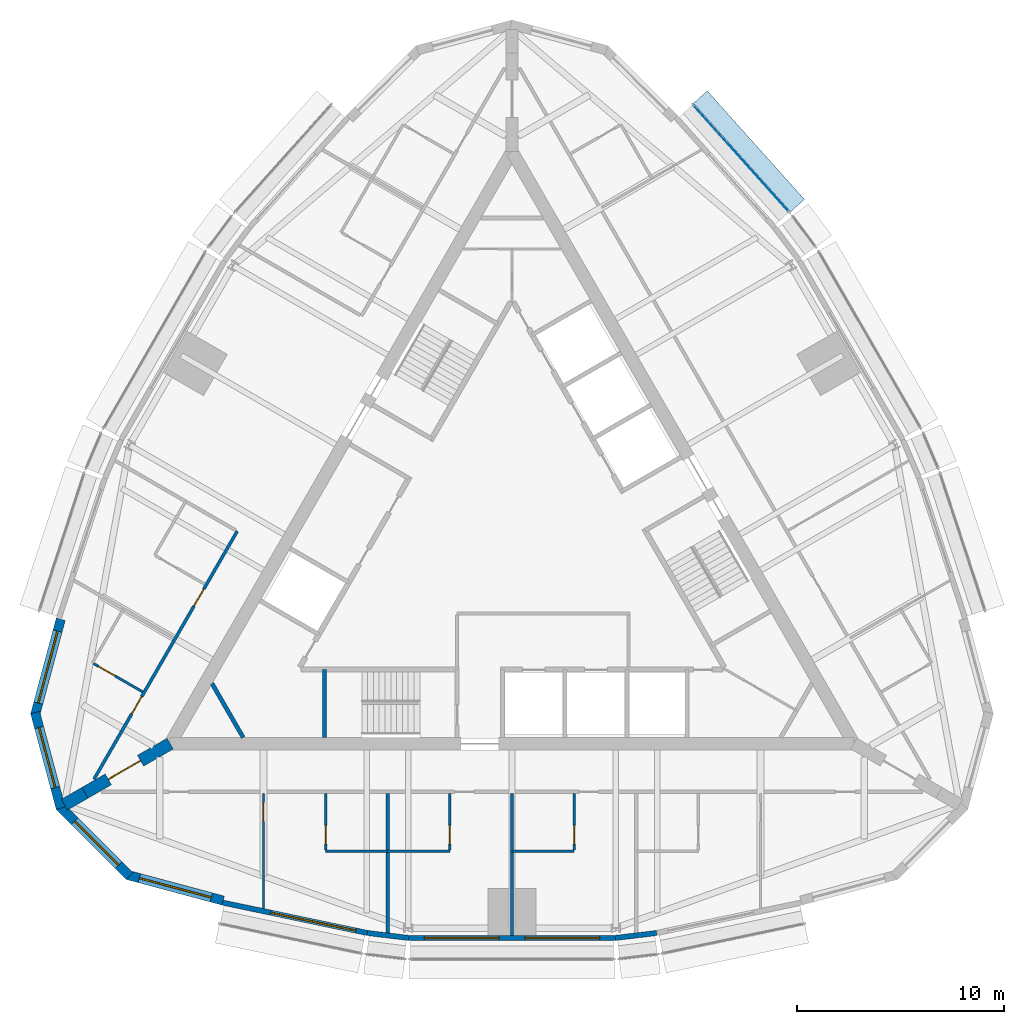
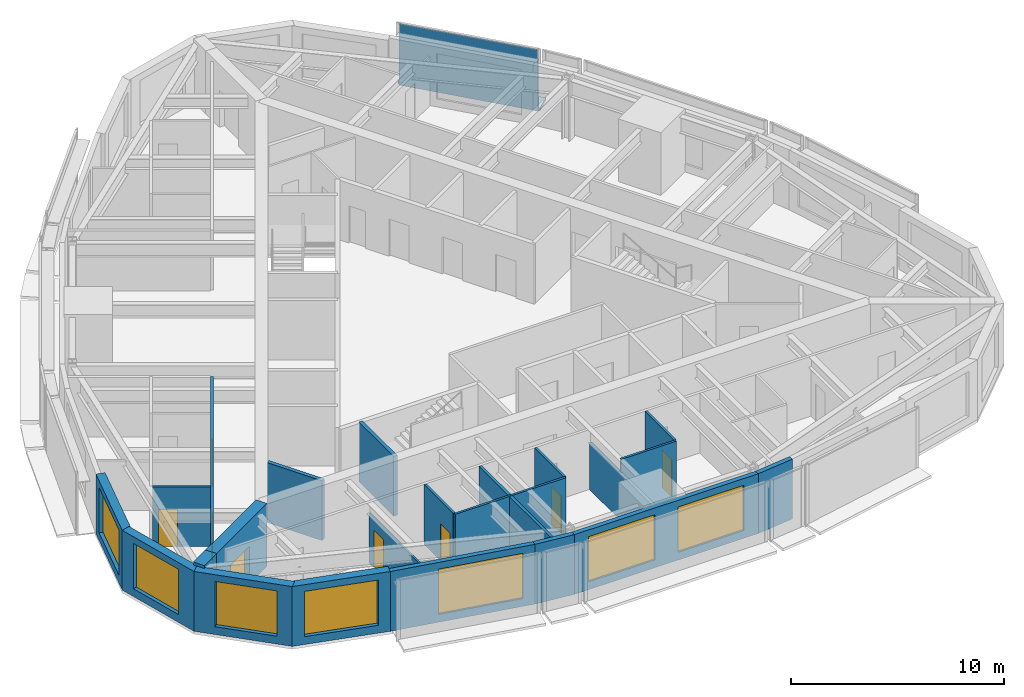
# One storey, part 7 of 12: 23 walls, 8 doors, 7 windows, 2 plates, 15 openings, 1 element without a shape of its own.
"""IFC4 building model written with IfcOpenShell, lengths in metres."""

from ifc_helpers import new_model, si_unit, direction, frame, frame_2d, origin, origin_2d, place, context, subcontext, project, spatial, polyline, rectangle, outline, extrude, material, layer, layer_set, type_object, element, fill, aggregate, save


model = new_model("IFC4")

# Units and contexts
model_context = context("Model", 3, precision=1e-05, world=origin(), true_north=direction((0.0, 1.0)))
body_context = subcontext(model_context, "Body", "Model", "MODEL_VIEW")
ifc_project = project(units=[si_unit("LENGTHUNIT", "METRE"), si_unit("AREAUNIT", "SQUARE_METRE"), si_unit("VOLUMEUNIT", "CUBIC_METRE"), si_unit("PLANEANGLEUNIT", "RADIAN"), si_unit("MASSUNIT", "GRAM", prefix="KILO")], contexts=[model_context])

# Site, building, storey
site_placement = place(None, origin())
site = spatial("IfcSite", under=ifc_project, at=site_placement, CompositionType="ELEMENT")
building_placement = place(site_placement, origin())
building = spatial("IfcBuilding", under=site, at=building_placement, Name="Trikona Tower", CompositionType="ELEMENT")
storey_placement = place(building_placement, frame((0.0, 0.0, 260.89990234375)))
storey = spatial("IfcBuildingStorey", under=building, at=storey_placement, Name="L69", CompositionType="ELEMENT", Elevation=260.89990234375)

# Curtain wall, plate
ifc_material_1 = material(Name="Aluminium curtain wall system", Category="aluminium")
curtain_wall_type = type_object("IfcCurtainWallType", Name="Curtain wall DS3", PredefinedType="NOTDEFINED", material=ifc_material_1)
curtain_wall_placement = place(storey_placement, origin())
curtain_wall = element("IfcCurtainWall", 1, at=curtain_wall_placement, inside=storey, type_object=curtain_wall_type, Name="Curtain wall DS3 L69", PredefinedType="NOTDEFINED")
ifc_material_2 = material(Name="Laminated clear glass", Category="glass")
ifc_layer_1 = layer(ifc_material_2, 0.028076171875)
ifc_layer_set_1 = layer_set([ifc_layer_1], Name="Glass panel DS3")
plate_type_1 = type_object("IfcPlateType", Name="Glass panel DS3", PredefinedType="CURTAIN_PANEL", material=ifc_layer_set_1)
plate_1_placement = place(storey_placement, frame((11.056884765625, 18.7216796875, 0.0), z_axis=(0.0, 0.0, 1.0), x_axis=(-0.667319643748, 0.744771436797, 0.0)))
plate_1 = element("IfcPlate", 2, at=plate_1_placement, type_object=plate_type_1, Name="CW-DS3 panel 1.1", PredefinedType="CURTAIN_PANEL", context=body_context, shape_type="SweptSolid", body=[
    extrude(rectangle(XDim=6.892822265625, YDim=0.028076171875, at=origin_2d()), origin(), (0.0, 0.0, 1.0), 3.530029296875),
])
aggregate(curtain_wall, [plate_1])

# Plate
ifc_material_3 = material(Name="Aluminium plate fin, pale anodised, on stainless steel outriggers", Category="steel")
ifc_layer_2 = layer(ifc_material_3, 0.14990234375)
ifc_layer_set_2 = layer_set([ifc_layer_2], Name="Outer skin fin 900")
plate_type_2 = type_object("IfcPlateType", Name="Outer skin fin 900", PredefinedType="USERDEFINED", material=ifc_layer_set_2)
plate_2_placement = place(storey_placement, frame((11.436767578125, 19.06201171875, 0.000244140625), z_axis=(0.0, 0.0, 1.0), x_axis=(-0.667311465398, 0.744778764566, 0.0)))
element("IfcPlate", 3, at=plate_2_placement, inside=storey, type_object=plate_type_2, Name="Outer skin fin L69-13", ObjectType="FIN", PredefinedType="USERDEFINED", context=body_context, shape_type="SweptSolid", body=[
    extrude(rectangle(XDim=7.03271484375, YDim=0.89990234375, at=origin_2d()), origin(), (0.0, 0.0, 1.0), 0.14990234375),
])

# Wall
ifc_material_4 = material(Name="Metal stud and cement board", Category="gypsum")
ifc_layer_3 = layer(ifc_material_4, 0.1201171875)
ifc_layer_set_3 = layer_set([ifc_layer_3], Name="Bathroom wall 120")
wall_type_1 = type_object("IfcWallType", Name="Bathroom wall 120", PredefinedType="PLUMBINGWALL", material=ifc_layer_set_3)
wall_1_placement = place(storey_placement, frame((-9.0, -14.726318359375, 0.0), z_axis=(0.0, 0.0, 1.0), x_axis=(1.0, 0.0, 0.0)))
element("IfcWall", 4, at=wall_1_placement, inside=storey, type_object=wall_type_1, Name="Bathroom wall 6901.1", PredefinedType="PLUMBINGWALL", context=body_context, shape_type="SweptSolid", body=[
    extrude(rectangle(XDim=3.0, YDim=0.1201171875, at=frame_2d((1.5, 0.0))), origin(), (0.0, 0.0, 1.0), 3.43505859375),
])

# Wall, opening, door
wall_2_placement = place(storey_placement, frame((-9.0, -11.92626953125, 0.0), z_axis=(0.0, 0.0, 1.0), x_axis=(0.0, -1.0, 0.0)))
wall_2 = element("IfcWall", 5, at=wall_2_placement, inside=storey, type_object=wall_type_1, Name="Bathroom wall 6901.1", PredefinedType="PLUMBINGWALL", context=body_context, shape_type="SweptSolid", body=[
    extrude(rectangle(XDim=2.739990234375, YDim=0.1201171875, at=frame_2d((1.3701171875, 0.0))), origin(), (0.0, 0.0, 1.0), 3.43505859375),
])
opening_1_placement = place(wall_2_placement, frame((1.550048828125, 0.0, 0.0)))
opening_1 = element("IfcOpeningElement", 6, at=opening_1_placement, cuts=wall_2, Name="Opening D2", PredefinedType="OPENING", context=body_context, shape_type="SweptSolid", body=[
    extrude(rectangle(XDim=0.89990234375, YDim=2.1298828125, at=frame_2d((0.449951171875, 1.06494140625))), frame((0.0, 0.070068359375, 0.0), z_axis=(0.0, -1.0, 0.0), x_axis=(1.0, 0.0, 0.0)), (0.0, 0.0, 1.0), 0.14013671875),
])
ifc_material_5 = material(Name="Steel door frame with solid-core timber leaf", Category="steel")
door_type_1 = type_object("IfcDoorType", Name="Bathroom door 900x2130", OperationType="SLIDING_TO_LEFT", PredefinedType="DOOR", material=ifc_material_5)
door_1_placement = place(opening_1_placement, origin())
door_1 = element("IfcDoor", 7, at=door_1_placement, inside=storey, type_object=door_type_1, Name="Bathroom door 6901.1", OperationType="SLIDING_TO_LEFT", OverallHeight=2.1298828125, OverallWidth=0.89990234375, PredefinedType="DOOR", context=body_context, shape_type="SweptSolid", body=[
    extrude(rectangle(XDim=0.89990234375, YDim=2.1298828125, at=frame_2d((0.449951171875, 1.06494140625))), frame((0.0, 0.02490234375, 0.0), z_axis=(0.0, -1.0, 0.0), x_axis=(1.0, 0.0, 0.0)), (0.0, 0.0, 1.0), 0.050048828125),
])
fill(opening_1, door_1)

# Wall
wall_3_placement = place(storey_placement, frame((-6.0, -14.726318359375, 0.0), z_axis=(0.0, 0.0, 1.0), x_axis=(1.0, 0.0, 0.0)))
element("IfcWall", 8, at=wall_3_placement, inside=storey, type_object=wall_type_1, Name="Bathroom wall 6902", PredefinedType="PLUMBINGWALL", context=body_context, shape_type="SweptSolid", body=[
    extrude(rectangle(XDim=3.0, YDim=0.1201171875, at=frame_2d((1.5, 0.0))), origin(), (0.0, 0.0, 1.0), 3.43505859375),
])

# Wall, opening, door
wall_4_placement = place(storey_placement, frame((-3.0, -11.92626953125, 0.0), z_axis=(0.0, 0.0, 1.0), x_axis=(0.0, -1.0, 0.0)))
wall_4 = element("IfcWall", 9, at=wall_4_placement, inside=storey, type_object=wall_type_1, Name="Bathroom wall 6902", PredefinedType="PLUMBINGWALL", context=body_context, shape_type="SweptSolid", body=[
    extrude(rectangle(XDim=2.739990234375, YDim=0.1201171875, at=frame_2d((1.3701171875, 0.0))), origin(), (0.0, 0.0, 1.0), 3.43505859375),
])
opening_2_placement = place(wall_4_placement, frame((1.550048828125, 0.0, 0.0)))
opening_2 = element("IfcOpeningElement", 10, at=opening_2_placement, cuts=wall_4, Name="Opening D2", PredefinedType="OPENING", context=body_context, shape_type="SweptSolid", body=[
    extrude(rectangle(XDim=0.89990234375, YDim=2.1298828125, at=frame_2d((0.449951171875, 1.06494140625))), frame((0.0, 0.070068359375, 0.0), z_axis=(0.0, -1.0, 0.0), x_axis=(1.0, 0.0, 0.0)), (0.0, 0.0, 1.0), 0.14013671875),
])
door_2_placement = place(opening_2_placement, origin())
door_2 = element("IfcDoor", 11, at=door_2_placement, inside=storey, type_object=door_type_1, Name="Bathroom door 6902", OperationType="SLIDING_TO_LEFT", OverallHeight=2.1298828125, OverallWidth=0.89990234375, PredefinedType="DOOR", context=body_context, shape_type="SweptSolid", body=[
    extrude(rectangle(XDim=0.89990234375, YDim=2.1298828125, at=frame_2d((0.449951171875, 1.06494140625))), frame((0.0, 0.02490234375, 0.0), z_axis=(0.0, -1.0, 0.0), x_axis=(1.0, 0.0, 0.0)), (0.0, 0.0, 1.0), 0.050048828125),
])
fill(opening_2, door_2)

# Wall
wall_5_placement = place(storey_placement, frame((0.0, -14.726318359375, 0.0), z_axis=(0.0, 0.0, 1.0), x_axis=(1.0, 0.0, 0.0)))
element("IfcWall", 12, at=wall_5_placement, inside=storey, type_object=wall_type_1, Name="Bathroom wall 6903", PredefinedType="PLUMBINGWALL", context=body_context, shape_type="SweptSolid", body=[
    extrude(rectangle(XDim=3.0, YDim=0.1201171875, at=frame_2d((1.5, 0.0))), origin(), (0.0, 0.0, 1.0), 3.43505859375),
])

# Wall, opening, door
wall_6_placement = place(storey_placement, frame((3.0, -11.92626953125, 0.0), z_axis=(0.0, 0.0, 1.0), x_axis=(0.0, -1.0, 0.0)))
wall_6 = element("IfcWall", 13, at=wall_6_placement, inside=storey, type_object=wall_type_1, Name="Bathroom wall 6903", PredefinedType="PLUMBINGWALL", context=body_context, shape_type="SweptSolid", body=[
    extrude(rectangle(XDim=2.739990234375, YDim=0.1201171875, at=frame_2d((1.3701171875, 0.0))), origin(), (0.0, 0.0, 1.0), 3.43505859375),
])
opening_3_placement = place(wall_6_placement, frame((1.550048828125, 0.0, 0.0)))
opening_3 = element("IfcOpeningElement", 14, at=opening_3_placement, cuts=wall_6, Name="Opening D2", PredefinedType="OPENING", context=body_context, shape_type="SweptSolid", body=[
    extrude(rectangle(XDim=0.89990234375, YDim=2.1298828125, at=frame_2d((0.449951171875, 1.06494140625))), frame((0.0, 0.070068359375, 0.0), z_axis=(0.0, -1.0, 0.0), x_axis=(1.0, 0.0, 0.0)), (0.0, 0.0, 1.0), 0.14013671875),
])
door_3_placement = place(opening_3_placement, origin())
door_3 = element("IfcDoor", 15, at=door_3_placement, inside=storey, type_object=door_type_1, Name="Bathroom door 6903", OperationType="SLIDING_TO_LEFT", OverallHeight=2.1298828125, OverallWidth=0.89990234375, PredefinedType="DOOR", context=body_context, shape_type="SweptSolid", body=[
    extrude(rectangle(XDim=0.89990234375, YDim=2.1298828125, at=frame_2d((0.449951171875, 1.06494140625))), frame((0.0, 0.02490234375, 0.0), z_axis=(0.0, -1.0, 0.0), x_axis=(1.0, 0.0, 0.0)), (0.0, 0.0, 1.0), 0.050048828125),
])
fill(opening_3, door_3)

wall_7_placement = place(storey_placement, frame((-17.82861328125, -7.027099609375, 0.0), z_axis=(0.0, 0.0, 1.0), x_axis=(-0.866035715982, 0.499982138324, 0.0)))
wall_7 = element("IfcWall", 16, at=wall_7_placement, inside=storey, type_object=wall_type_1, Name="Bathroom wall 6909", PredefinedType="PLUMBINGWALL", context=body_context, shape_type="SweptSolid", body=[
    extrude(rectangle(XDim=2.73974609375, YDim=0.1201171875, at=frame_2d((1.369873046875, 0.0))), origin(), (0.0, 0.0, 1.0), 3.43505859375),
])
opening_4_placement = place(wall_7_placement, frame((1.550048828125, 0.0, 0.0)))
opening_4 = element("IfcOpeningElement", 17, at=opening_4_placement, cuts=wall_7, Name="Opening D2", PredefinedType="OPENING", context=body_context, shape_type="SweptSolid", body=[
    extrude(rectangle(XDim=0.89990234375, YDim=2.1298828125, at=frame_2d((0.449951171875, 1.06494140625))), frame((0.0, 0.070068359375, 0.0), z_axis=(0.0, -1.0, 0.0), x_axis=(1.0, 0.0, 0.0)), (0.0, 0.0, 1.0), 0.14013671875),
])
door_4_placement = place(opening_4_placement, origin())
door_4 = element("IfcDoor", 18, at=door_4_placement, inside=storey, type_object=door_type_1, Name="Bathroom door 6909", OperationType="SLIDING_TO_LEFT", OverallHeight=2.1298828125, OverallWidth=0.89990234375, PredefinedType="DOOR", context=body_context, shape_type="SweptSolid", body=[
    extrude(rectangle(XDim=0.89990234375, YDim=2.1298828125, at=frame_2d((0.449951171875, 1.06494140625))), frame((0.0, 0.02490234375, 0.0), z_axis=(0.0, -1.0, 0.0), x_axis=(1.0, 0.0, 0.0)), (0.0, 0.0, 1.0), 0.050048828125),
])
fill(opening_4, door_4)

# Wall, opening, window
ifc_material_6 = material(Name="Brick-faced precast concrete", Category="masonry")
ifc_layer_4 = layer(ifc_material_6, 0.449951171875)
ifc_layer_set_4 = layer_set([ifc_layer_4], Name="Brick-faced corner wall 450")
wall_type_2 = type_object("IfcWallType", Name="Brick-faced corner wall 450", PredefinedType="SOLIDWALL", material=ifc_layer_set_4)
wall_8_placement = place(storey_placement, frame((-21.78271484375, -3.522216796875, 0.0), z_axis=(0.0, 0.0, 1.0), x_axis=(-0.25880328844, -0.965930048136, 0.0)))
wall_8 = element("IfcWall", 19, at=wall_8_placement, inside=storey, type_object=wall_type_2, Name="External wall L69-23", PredefinedType="SOLIDWALL", context=body_context, shape_type="SweptSolid", body=[
    extrude(rectangle(XDim=4.78173828125, YDim=0.449951171875, at=frame_2d((2.390869140625, 0.0))), origin(), (0.0, 0.0, 1.0), 3.43505859375),
])
opening_5_placement = place(wall_8_placement, frame((0.5908203125, 0.0, 0.449951171875)))
opening_5 = element("IfcOpeningElement", 20, at=opening_5_placement, cuts=wall_8, Name="Opening W3626", PredefinedType="OPENING", context=body_context, shape_type="SweptSolid", body=[
    extrude(rectangle(XDim=3.60009765625, YDim=2.60009765625, at=frame_2d((1.800048828125, 1.300048828125))), frame((0.0, 0.23486328125, 0.0), z_axis=(0.0, -1.0, 0.0), x_axis=(1.0, 0.0, 0.0)), (0.0, 0.0, 1.0), 0.469970703125),
])
ifc_material_7 = material(Name="Aluminium-framed double glazing", Category="aluminium")
window_type_1 = type_object("IfcWindowType", Name="Window 3600x2600", PartitioningType="SINGLE_PANEL", PredefinedType="WINDOW", material=ifc_material_7)
window_1_placement = place(opening_5_placement, origin())
window_1 = element("IfcWindow", 21, at=window_1_placement, inside=storey, type_object=window_type_1, Name="Window 6909", OverallHeight=2.60009765625, OverallWidth=3.60009765625, PartitioningType="SINGLE_PANEL", PredefinedType="WINDOW", context=body_context, shape_type="SweptSolid", body=[
    extrude(rectangle(XDim=3.60009765625, YDim=2.60009765625, at=frame_2d((1.800048828125, 1.300048828125))), frame((0.0, 0.030029296875, 0.0), z_axis=(0.0, -1.0, 0.0), x_axis=(1.0, 0.0, 0.0)), (0.0, 0.0, 1.0), 0.06005859375),
])
fill(opening_5, window_1)

wall_9_placement = place(storey_placement, frame((-23.020263671875, -8.024658203125, 0.0), z_axis=(0.0, 0.0, 1.0), x_axis=(0.25880328844, -0.965930048136, 0.0)))
wall_9 = element("IfcWall", 22, at=wall_9_placement, inside=storey, type_object=wall_type_2, Name="External wall L69-24", PredefinedType="SOLIDWALL", context=body_context, shape_type="SweptSolid", body=[
    extrude(outline(polyline([(4.78173828125, 0.22509765625), (4.72216796875, 0.22509765625), (4.37548828125, 0.132080078125), (4.3505859375, 0.22509765625), (0.0, 0.22509765625), (0.0, -0.22509765625), (4.78173828125, -0.22509765625), (4.78173828125, 0.22509765625)])), origin(), (0.0, 0.0, 1.0), 3.43505859375),
])
opening_6_placement = place(wall_9_placement, frame((0.750244140625, 0.0, 0.449951171875)))
opening_6 = element("IfcOpeningElement", 23, at=opening_6_placement, cuts=wall_9, Name="Opening W3026", PredefinedType="OPENING", context=body_context, shape_type="SweptSolid", body=[
    extrude(rectangle(XDim=3.0, YDim=2.60009765625, at=frame_2d((1.5, 1.300048828125))), frame((0.0, 0.23486328125, 0.0), z_axis=(0.0, -1.0, 0.0), x_axis=(1.0, 0.0, 0.0)), (0.0, 0.0, 1.0), 0.469970703125),
])
ifc_material_8 = material(Name="Aluminium-framed double glazing", Category="aluminium")
window_type_2 = type_object("IfcWindowType", Name="Window 3000x2600", PartitioningType="SINGLE_PANEL", PredefinedType="WINDOW", material=ifc_material_8)
window_2_placement = place(opening_6_placement, origin())
window_2 = element("IfcWindow", 24, at=window_2_placement, inside=storey, type_object=window_type_2, Name="Window 6909", OverallHeight=2.60009765625, OverallWidth=3.0, PartitioningType="SINGLE_PANEL", PredefinedType="WINDOW", context=body_context, shape_type="SweptSolid", body=[
    extrude(rectangle(XDim=3.0, YDim=2.60009765625, at=frame_2d((1.5, 1.300048828125))), frame((0.0, 0.030029296875, 0.0), z_axis=(0.0, -1.0, 0.0), x_axis=(1.0, 0.0, 0.0)), (0.0, 0.0, 1.0), 0.06005859375),
])
fill(opening_6, window_2)

wall_10_placement = place(storey_placement, frame((-21.8408203125, -12.54248046875, 0.0), z_axis=(0.0, 0.0, 1.0), x_axis=(0.707081252484, -0.707132308968, 0.0)))
wall_10 = element("IfcWall", 25, at=wall_10_placement, inside=storey, type_object=wall_type_2, Name="External wall L69-25", PredefinedType="SOLIDWALL", context=body_context, shape_type="SweptSolid", body=[
    extrude(outline(polyline([(4.78173828125, 0.22509765625), (0.43115234375, 0.22509765625), (0.40625, 0.1318359375), (0.058837890625, 0.22509765625), (0.0, 0.22509765625), (0.0, -0.22509765625), (4.78173828125, -0.22509765625), (4.78173828125, 0.22509765625)])), origin(), (0.0, 0.0, 1.0), 3.43505859375),
])
opening_7_placement = place(wall_10_placement, frame((1.031494140625, 0.0, 0.449951171875)))
opening_7 = element("IfcOpeningElement", 26, at=opening_7_placement, cuts=wall_10, Name="Opening W3026", PredefinedType="OPENING", context=body_context, shape_type="SweptSolid", body=[
    extrude(rectangle(XDim=3.0, YDim=2.60009765625, at=frame_2d((1.5, 1.300048828125))), frame((0.0, 0.23486328125, 0.0), z_axis=(0.0, -1.0, 0.0), x_axis=(1.0, 0.0, 0.0)), (0.0, 0.0, 1.0), 0.469970703125),
])
window_3_placement = place(opening_7_placement, origin())
window_3 = element("IfcWindow", 27, at=window_3_placement, inside=storey, type_object=window_type_2, Name="Window 6901", OverallHeight=2.60009765625, OverallWidth=3.0, PartitioningType="SINGLE_PANEL", PredefinedType="WINDOW", context=body_context, shape_type="SweptSolid", body=[
    extrude(rectangle(XDim=3.0, YDim=2.60009765625, at=frame_2d((1.5, 1.300048828125))), frame((0.0, 0.030029296875, 0.0), z_axis=(0.0, -1.0, 0.0), x_axis=(1.0, 0.0, 0.0)), (0.0, 0.0, 1.0), 0.06005859375),
])
fill(opening_7, window_3)

wall_11_placement = place(storey_placement, frame((-18.560546875, -15.865478515625, 0.0), z_axis=(0.0, 0.0, 1.0), x_axis=(0.965913862671, -0.258863689806, 0.0)))
wall_11 = element("IfcWall", 28, at=wall_11_placement, inside=storey, type_object=wall_type_2, Name="External wall L69-26", PredefinedType="SOLIDWALL", context=body_context, shape_type="SweptSolid", body=[
    extrude(rectangle(XDim=4.78173828125, YDim=0.449951171875, at=frame_2d((2.390869140625, 0.0))), origin(), (0.0, 0.0, 1.0), 3.43505859375),
])
opening_8_placement = place(wall_11_placement, frame((0.5908203125, 0.0, 0.449951171875)))
opening_8 = element("IfcOpeningElement", 29, at=opening_8_placement, cuts=wall_11, Name="Opening W3626", PredefinedType="OPENING", context=body_context, shape_type="SweptSolid", body=[
    extrude(rectangle(XDim=3.60009765625, YDim=2.60009765625, at=frame_2d((1.800048828125, 1.300048828125))), frame((0.0, 0.23486328125, 0.0), z_axis=(0.0, -1.0, 0.0), x_axis=(1.0, 0.0, 0.0)), (0.0, 0.0, 1.0), 0.469970703125),
])
window_4_placement = place(opening_8_placement, origin())
window_4 = element("IfcWindow", 30, at=window_4_placement, inside=storey, type_object=window_type_1, Name="Window 6901", OverallHeight=2.60009765625, OverallWidth=3.60009765625, PartitioningType="SINGLE_PANEL", PredefinedType="WINDOW", context=body_context, shape_type="SweptSolid", body=[
    extrude(rectangle(XDim=3.60009765625, YDim=2.60009765625, at=frame_2d((1.800048828125, 1.300048828125))), frame((0.0, 0.030029296875, 0.0), z_axis=(0.0, -1.0, 0.0), x_axis=(1.0, 0.0, 0.0)), (0.0, 0.0, 1.0), 0.06005859375),
])
fill(opening_8, window_4)

# Wall, opening, door
ifc_material_9 = material(Name="Concrete f'c 10000 psi", Category="concrete")
ifc_layer_5 = layer(ifc_material_9, 0.60009765625)
ifc_layer_set_5 = layer_set([ifc_layer_5], Name="Buttress wall 600")
wall_type_3 = type_object("IfcWallType", Name="Buttress wall 600", PredefinedType="SHEAR", material=ifc_layer_set_5)
wall_12_placement = place(storey_placement, frame((-16.5, -9.5263671875, 0.0), z_axis=(0.0, 0.0, 1.0), x_axis=(-0.866031398331, -0.499989616998, 0.0)))
wall_12 = element("IfcWall", 31, at=wall_12_placement, inside=storey, type_object=wall_type_3, Name="Buttress wall 3", PredefinedType="SHEAR", context=body_context, shape_type="SweptSolid", body=[
    extrude(rectangle(XDim=4.74609375, YDim=0.60009765625, at=frame_2d((2.373046875, 0.0))), origin(), (0.0, 0.0, 1.0), 3.60009765625),
])
opening_9_placement = place(wall_12_placement, frame((1.64990234375, 0.0, 0.0)))
opening_9 = element("IfcOpeningElement", 32, at=opening_9_placement, cuts=wall_12, Name="Opening D10", PredefinedType="OPENING", context=body_context, shape_type="SweptSolid", body=[
    extrude(rectangle(XDim=1.800048828125, YDim=2.1298828125, at=frame_2d((0.89990234375, 1.06494140625))), frame((0.0, 0.31005859375, 0.0), z_axis=(0.0, -1.0, 0.0), x_axis=(1.0, 0.0, 0.0)), (0.0, 0.0, 1.0), 0.6201171875),
])
ifc_material_10 = material(Name="Hollow metal door and frame", Category="steel")
door_type_2 = type_object("IfcDoorType", Name="Cross-corridor door pair 1800x2130", OperationType="DOUBLE_DOOR_DOUBLE_SWING", PredefinedType="DOOR", material=ifc_material_10)
door_5_placement = place(opening_9_placement, origin())
door_5 = element("IfcDoor", 33, at=door_5_placement, inside=storey, type_object=door_type_2, Name="Cross-corridor door 3", OperationType="DOUBLE_DOOR_DOUBLE_SWING", OverallHeight=2.1298828125, OverallWidth=1.800048828125, PredefinedType="DOOR", context=body_context, shape_type="SweptSolid", body=[
    extrude(rectangle(XDim=1.800048828125, YDim=2.1298828125, at=frame_2d((0.89990234375, 1.06494140625))), frame((0.0, 0.02490234375, 0.0), z_axis=(0.0, -1.0, 0.0), x_axis=(1.0, 0.0, 0.0)), (0.0, 0.0, 1.0), 0.050048828125),
])
fill(opening_9, door_5)

# Wall
wall_13_placement = place(storey_placement, frame((-20.6103515625, -11.8994140625, 0.0), z_axis=(0.0, 0.0, 1.0), x_axis=(-0.866009537788, -0.500027479704, 0.0)))
element("IfcWall", 34, at=wall_13_placement, inside=storey, type_object=wall_type_3, Name="Buttress wall 3 part 2", PredefinedType="SHEAR", context=body_context, shape_type="SweptSolid", body=[
    extrude(rectangle(XDim=1.15478515625, YDim=0.60009765625, at=frame_2d((0.577392578125, 0.0))), origin(), (0.0, 0.0, 1.0), 3.60009765625),
])

# Wall, openings, doors
ifc_material_11 = material(Name="Metal stud and gypsum board, 1-hour", Category="gypsum")
ifc_layer_6 = layer(ifc_material_11, 0.14990234375)
ifc_layer_set_6 = layer_set([ifc_layer_6], Name="Corridor wall 150")
wall_type_4 = type_object("IfcWallType", Name="Corridor wall 150", PredefinedType="PARTITIONING", material=ifc_layer_set_6)
wall_14_placement = place(storey_placement, frame((-13.263427734375, 0.7294921875, 0.0), z_axis=(0.0, 0.0, 1.0), x_axis=(-0.500001642027, -0.866024455758, 0.0)))
wall_14 = element("IfcWall", 35, at=wall_14_placement, inside=storey, type_object=wall_type_4, Name="Corridor wall L69-3B", PredefinedType="PARTITIONING", context=body_context, shape_type="SweptSolid", body=[
    extrude(rectangle(XDim=13.8271484375, YDim=0.14990234375, at=frame_2d((6.91357421875, 0.0))), origin(), (0.0, 0.0, 1.0), 3.43505859375),
])
opening_10_placement = place(wall_14_placement, frame((3.22509765625, 0.0, 0.0)))
opening_10 = element("IfcOpeningElement", 36, at=opening_10_placement, cuts=wall_14, Name="Opening D1", PredefinedType="OPENING", context=body_context, shape_type="SweptSolid", body=[
    extrude(rectangle(XDim=0.949951171875, YDim=2.1298828125, at=frame_2d((0.47509765625, 1.06494140625))), frame((0.0, 0.0849609375, 0.0), z_axis=(0.0, -1.0, 0.0), x_axis=(1.0, 0.0, 0.0)), (0.0, 0.0, 1.0), 0.169921875),
])
opening_11_placement = place(wall_14_placement, frame((9.22509765625, 0.0, 0.0)))
opening_11 = element("IfcOpeningElement", 37, at=opening_11_placement, cuts=wall_14, Name="Opening D1", PredefinedType="OPENING", context=body_context, shape_type="SweptSolid", body=[
    extrude(rectangle(XDim=0.949951171875, YDim=2.1298828125, at=frame_2d((0.47509765625, 1.06494140625))), frame((0.0, 0.0849609375, 0.0), z_axis=(0.0, -1.0, 0.0), x_axis=(1.0, 0.0, 0.0)), (0.0, 0.0, 1.0), 0.169921875),
])
ifc_material_12 = material(Name="Steel door frame with solid-core timber leaf", Category="steel")
door_type_3 = type_object("IfcDoorType", Name="Guest room door 950x2130", OperationType="SINGLE_SWING_LEFT", PredefinedType="DOOR", material=ifc_material_12)
door_6_placement = place(opening_10_placement, origin())
door_6 = element("IfcDoor", 38, at=door_6_placement, inside=storey, type_object=door_type_3, Name="Room door 6908", OperationType="SINGLE_SWING_LEFT", OverallHeight=2.1298828125, OverallWidth=0.949951171875, PredefinedType="DOOR", context=body_context, shape_type="SweptSolid", body=[
    extrude(rectangle(XDim=0.949951171875, YDim=2.1298828125, at=frame_2d((0.47509765625, 1.06494140625))), frame((0.0, 0.02490234375, 0.0), z_axis=(0.0, -1.0, 0.0), x_axis=(1.0, 0.0, 0.0)), (0.0, 0.0, 1.0), 0.050048828125),
])
fill(opening_10, door_6)
door_7_placement = place(opening_11_placement, origin())
door_7 = element("IfcDoor", 39, at=door_7_placement, inside=storey, type_object=door_type_3, Name="Room door 6909", OperationType="SINGLE_SWING_RIGHT", OverallHeight=2.1298828125, OverallWidth=0.949951171875, PredefinedType="DOOR", context=body_context, shape_type="SweptSolid", body=[
    extrude(rectangle(XDim=0.949951171875, YDim=2.1298828125, at=frame_2d((0.47509765625, 1.06494140625))), frame((0.0, 0.02490234375, 0.0), z_axis=(0.0, -1.0, 0.0), x_axis=(1.0, 0.0, 0.0)), (0.0, 0.0, 1.0), 0.050048828125),
])
fill(opening_11, door_7)

# Wall, opening, window
ifc_material_13 = material(Name="Insulated precast concrete spandrel panel", Category="concrete")
ifc_layer_7 = layer(ifc_material_13, 0.25)
ifc_layer_set_7 = layer_set([ifc_layer_7], Name="Inner skin wall 250")
wall_type_5 = type_object("IfcWallType", Name="Inner skin wall 250", PredefinedType="STANDARD", material=ifc_layer_set_7)
wall_15_placement = place(storey_placement, frame((-13.974365234375, -17.1982421875, 0.0), z_axis=(0.0, 0.0, 1.0), x_axis=(0.978654320409, -0.205513311355, 0.0)))
wall_15 = element("IfcWall", 40, at=wall_15_placement, inside=storey, type_object=wall_type_5, Name="External wall L69-00", PredefinedType="STANDARD", context=body_context, shape_type="SweptSolid", body=[
    extrude(rectangle(XDim=7.152587890625, YDim=0.25, at=frame_2d((3.576171875, 0.0))), origin(), (0.0, 0.0, 1.0), 3.43505859375),
])
opening_12_placement = place(wall_15_placement, frame((2.3759765625, 0.0, 0.449951171875)))
opening_12 = element("IfcOpeningElement", 41, at=opening_12_placement, cuts=wall_15, Name="Opening W4226", PredefinedType="OPENING", context=body_context, shape_type="SweptSolid", body=[
    extrude(rectangle(XDim=4.199951171875, YDim=2.60009765625, at=frame_2d((2.10009765625, 1.300048828125))), frame((0.0, 0.135009765625, 0.0), z_axis=(0.0, -1.0, 0.0), x_axis=(1.0, 0.0, 0.0)), (0.0, 0.0, 1.0), 0.27001953125),
])
ifc_material_14 = material(Name="Aluminium-framed double glazing", Category="aluminium")
window_type_3 = type_object("IfcWindowType", Name="Window 4200x2600", PartitioningType="SINGLE_PANEL", PredefinedType="WINDOW", material=ifc_material_14)
window_5_placement = place(opening_12_placement, origin())
window_5 = element("IfcWindow", 42, at=window_5_placement, inside=storey, type_object=window_type_3, Name="Window 6901.1", OverallHeight=2.60009765625, OverallWidth=4.199951171875, PartitioningType="SINGLE_PANEL", PredefinedType="WINDOW", context=body_context, shape_type="SweptSolid", body=[
    extrude(rectangle(XDim=4.199951171875, YDim=2.60009765625, at=frame_2d((2.10009765625, 1.300048828125))), frame((0.0, 0.030029296875, 0.0), z_axis=(0.0, -1.0, 0.0), x_axis=(1.0, 0.0, 0.0)), (0.0, 0.0, 1.0), 0.06005859375),
])
fill(opening_12, window_5)

# Wall
wall_16_placement = place(storey_placement, frame((-6.985107421875, -18.66650390625, 0.0), z_axis=(0.0, 0.0, 1.0), x_axis=(0.992877411981, -0.119140441403, 0.0)))
element("IfcWall", 43, at=wall_16_placement, inside=storey, type_object=wall_type_5, Name="External wall L69-01", PredefinedType="STANDARD", context=body_context, shape_type="SweptSolid", body=[
    extrude(rectangle(XDim=2.014404296875, YDim=0.25, at=frame_2d((1.00732421875, 0.0))), origin(), (0.0, 0.0, 1.0), 3.43505859375),
])

# Wall, openings, windows
wall_17_placement = place(storey_placement, frame((-5.0, -18.905517578125, 0.0), z_axis=(0.0, 0.0, 1.0), x_axis=(1.0, 0.0, 0.0)))
wall_17 = element("IfcWall", 44, at=wall_17_placement, inside=storey, type_object=wall_type_5, Name="External wall L69-02", PredefinedType="STANDARD", context=body_context, shape_type="SweptSolid", body=[
    extrude(rectangle(XDim=10.0, YDim=0.25, at=frame_2d((5.0, 0.0))), origin(), (0.0, 0.0, 1.0), 3.43505859375),
])
opening_13_placement = place(wall_17_placement, frame((0.77490234375, 0.0, 0.449951171875)))
opening_13 = element("IfcOpeningElement", 45, at=opening_13_placement, cuts=wall_17, Name="Opening W3626", PredefinedType="OPENING", context=body_context, shape_type="SweptSolid", body=[
    extrude(rectangle(XDim=3.60009765625, YDim=2.60009765625, at=frame_2d((1.800048828125, 1.300048828125))), frame((0.0, 0.135009765625, 0.0), z_axis=(0.0, -1.0, 0.0), x_axis=(1.0, 0.0, 0.0)), (0.0, 0.0, 1.0), 0.27001953125),
])
opening_14_placement = place(wall_17_placement, frame((5.625, 0.0, 0.449951171875)))
opening_14 = element("IfcOpeningElement", 46, at=opening_14_placement, cuts=wall_17, Name="Opening W3626", PredefinedType="OPENING", context=body_context, shape_type="SweptSolid", body=[
    extrude(rectangle(XDim=3.60009765625, YDim=2.60009765625, at=frame_2d((1.800048828125, 1.300048828125))), frame((0.0, 0.135009765625, 0.0), z_axis=(0.0, -1.0, 0.0), x_axis=(1.0, 0.0, 0.0)), (0.0, 0.0, 1.0), 0.27001953125),
])
window_6_placement = place(opening_13_placement, origin())
window_6 = element("IfcWindow", 47, at=window_6_placement, inside=storey, type_object=window_type_1, Name="Window 6902", OverallHeight=2.60009765625, OverallWidth=3.60009765625, PartitioningType="SINGLE_PANEL", PredefinedType="WINDOW", context=body_context, shape_type="SweptSolid", body=[
    extrude(rectangle(XDim=3.60009765625, YDim=2.60009765625, at=frame_2d((1.800048828125, 1.300048828125))), frame((0.0, 0.030029296875, 0.0), z_axis=(0.0, -1.0, 0.0), x_axis=(1.0, 0.0, 0.0)), (0.0, 0.0, 1.0), 0.06005859375),
])
fill(opening_13, window_6)
window_7_placement = place(opening_14_placement, origin())
window_7 = element("IfcWindow", 48, at=window_7_placement, inside=storey, type_object=window_type_1, Name="Window 6903", OverallHeight=2.60009765625, OverallWidth=3.60009765625, PartitioningType="SINGLE_PANEL", PredefinedType="WINDOW", context=body_context, shape_type="SweptSolid", body=[
    extrude(rectangle(XDim=3.60009765625, YDim=2.60009765625, at=frame_2d((1.800048828125, 1.300048828125))), frame((0.0, 0.030029296875, 0.0), z_axis=(0.0, -1.0, 0.0), x_axis=(1.0, 0.0, 0.0)), (0.0, 0.0, 1.0), 0.06005859375),
])
fill(opening_14, window_7)

# Walls
wall_18_placement = place(storey_placement, frame((4.985107421875, -18.906494140625, 0.0), z_axis=(0.0, 0.0, 1.0), x_axis=(0.992877411981, 0.119140441403, 0.0)))
element("IfcWall", 49, at=wall_18_placement, inside=storey, type_object=wall_type_5, Name="External wall L69-03", PredefinedType="STANDARD", context=body_context, shape_type="SweptSolid", body=[
    extrude(rectangle(XDim=2.014404296875, YDim=0.25, at=frame_2d((1.00732421875, 0.0))), origin(), (0.0, 0.0, 1.0), 3.43505859375),
])
ifc_material_15 = material(Name="Metal stud and gypsum board, 1-hour acoustic", Category="gypsum")
ifc_layer_8 = layer(ifc_material_15, 0.14990234375)
ifc_layer_set_8 = layer_set([ifc_layer_8], Name="Party wall 150")
wall_type_6 = type_object("IfcWallType", Name="Party wall 150", PredefinedType="PARTITIONING", material=ifc_layer_set_8)
wall_19_placement = place(storey_placement, frame((-6.0, -11.92626953125, 0.0), z_axis=(0.0, 0.0, 1.0), x_axis=(0.0, -1.0, 0.0)))
element("IfcWall", 50, at=wall_19_placement, inside=storey, type_object=wall_type_6, Name="Partition L69 F1 u-6", PredefinedType="PARTITIONING", context=body_context, shape_type="SweptSolid", body=[
    extrude(rectangle(XDim=6.732421875, YDim=0.14990234375, at=frame_2d((3.3662109375, 0.0))), origin(), (0.0, 0.0, 1.0), 3.43505859375),
])
wall_20_placement = place(storey_placement, frame((0.0, -11.92626953125, 0.0), z_axis=(0.0, 0.0, 1.0), x_axis=(0.0, -1.0, 0.0)))
element("IfcWall", 51, at=wall_20_placement, inside=storey, type_object=wall_type_6, Name="Partition L69 F1 u0", PredefinedType="PARTITIONING", context=body_context, shape_type="SweptSolid", body=[
    extrude(rectangle(XDim=6.854248046875, YDim=0.14990234375, at=frame_2d((3.42724609375, 0.0))), origin(), (0.0, 0.0, 1.0), 2.677978515625),
])
ifc_material_16 = material(Name="Concrete f'c 8000 psi", Category="concrete")
ifc_layer_9 = layer(ifc_material_16, 0.199951171875)
ifc_layer_set_9 = layer_set([ifc_layer_9], Name="Shaft wall 200")
wall_type_7 = type_object("IfcWallType", Name="Shaft wall 200", PredefinedType="SOLIDWALL", material=ifc_layer_set_9)
wall_21_placement = place(storey_placement, frame((-12.978271484375, -9.226318359375, 0.0), z_axis=(0.0, 0.0, 1.0), x_axis=(-0.499952404951, 0.866052881055, 0.0)))
element("IfcWall", 52, at=wall_21_placement, inside=storey, type_object=wall_type_7, Name="Riser wall L69-RS3", PredefinedType="SOLIDWALL", context=body_context, shape_type="SweptSolid", body=[
    extrude(rectangle(XDim=3.002197265625, YDim=0.199951171875, at=frame_2d((1.5009765625, 0.0))), origin(), (0.0, 0.0, 1.0), 3.43505859375),
])
ifc_material_17 = material(Name="Concrete f'c 8000 psi", Category="concrete")
ifc_layer_10 = layer(ifc_material_17, 0.199951171875)
ifc_layer_set_10 = layer_set([ifc_layer_10], Name="Shaft wall 200 load-bearing")
wall_type_8 = type_object("IfcWallType", Name="Shaft wall 200 load-bearing", PredefinedType="SOLIDWALL", material=ifc_layer_set_10)
wall_22_placement = place(storey_placement, frame((-9.050048828125, -5.951416015625, 0.0), z_axis=(0.0, 0.0, 1.0), x_axis=(0.0, -1.0, 0.0)))
element("IfcWall", 53, at=wall_22_placement, inside=storey, type_object=wall_type_8, Name="Shaft wall A1", PredefinedType="SOLIDWALL", context=body_context, shape_type="SweptSolid", body=[
    extrude(rectangle(XDim=3.27490234375, YDim=0.199951171875, at=frame_2d((1.637451171875, 0.0))), origin(), (0.0, 0.0, 1.0), 3.43505859375),
])

# Wall, opening, door
ifc_material_18 = material(Name="Metal stud and gypsum board, acoustic", Category="gypsum")
ifc_layer_11 = layer(ifc_material_18, 0.10009765625)
ifc_layer_set_11 = layer_set([ifc_layer_11], Name="Suite partition 100")
wall_type_9 = type_object("IfcWallType", Name="Suite partition 100", PredefinedType="PARTITIONING", material=ifc_layer_set_11)
wall_23_placement = place(storey_placement, frame((-12.0, -11.92626953125, 0.0), z_axis=(0.0, 0.0, 1.0), x_axis=(0.0, -1.0, 0.0)))
wall_23 = element("IfcWall", 54, at=wall_23_placement, inside=storey, type_object=wall_type_9, Name="Suite partition L69 F1 u-12", PredefinedType="PARTITIONING", context=body_context, shape_type="SweptSolid", body=[
    extrude(rectangle(XDim=5.558837890625, YDim=0.10009765625, at=frame_2d((2.779296875, 0.0))), origin(), (0.0, 0.0, 1.0), 2.822998046875),
])
opening_15_placement = place(wall_23_placement, frame((0.449951171875, 0.0, 0.0)))
opening_15 = element("IfcOpeningElement", 55, at=opening_15_placement, cuts=wall_23, Name="Opening D13", PredefinedType="OPENING", context=body_context, shape_type="SweptSolid", body=[
    extrude(rectangle(XDim=0.89990234375, YDim=2.1298828125, at=frame_2d((0.449951171875, 1.06494140625))), frame((0.0, 0.06005859375, 0.0), z_axis=(0.0, -1.0, 0.0), x_axis=(1.0, 0.0, 0.0)), (0.0, 0.0, 1.0), 0.1201171875),
])
ifc_material_19 = material(Name="Steel door frame with solid-core timber leaf", Category="steel")
door_type_4 = type_object("IfcDoorType", Name="Suite door 900x2130", OperationType="SINGLE_SWING_LEFT", PredefinedType="DOOR", material=ifc_material_19)
door_8_placement = place(opening_15_placement, origin())
door_8 = element("IfcDoor", 56, at=door_8_placement, inside=storey, type_object=door_type_4, Name="Suite door 6901", OperationType="SINGLE_SWING_LEFT", OverallHeight=2.1298828125, OverallWidth=0.89990234375, PredefinedType="DOOR", context=body_context, shape_type="SweptSolid", body=[
    extrude(rectangle(XDim=0.89990234375, YDim=2.1298828125, at=frame_2d((0.449951171875, 1.06494140625))), frame((0.0, 0.02490234375, 0.0), z_axis=(0.0, -1.0, 0.0), x_axis=(1.0, 0.0, 0.0)), (0.0, 0.0, 1.0), 0.050048828125),
])
fill(opening_15, door_8)

save(model, "model.ifc")
